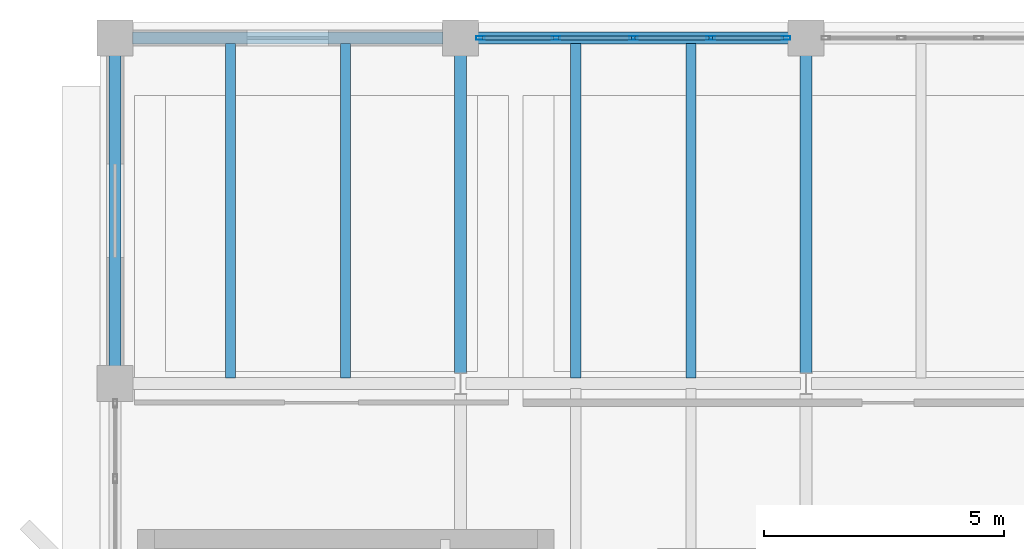
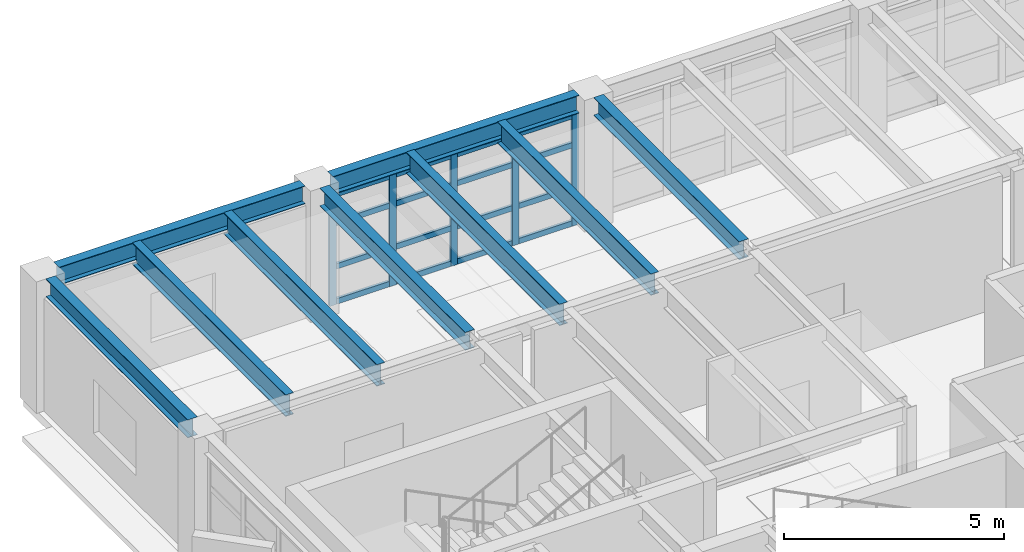
# One storey, part 9 of 24: 21 members, 9 beams, 1 element without a shape of its own.
"""IFC4 building model written with IfcOpenShell, lengths in metres."""

from ifc_helpers import new_model, si_unit, direction, frame, origin, origin_2d, place, context, subcontext, project, spatial, hollow_rectangle, i_section, extrude, material, layer, layer_set, material_profile, profile_set, type_object, element, aggregate, save


model = new_model("IFC4")

# Units and contexts
model_context = context("Model", 3, precision=1e-05, world=origin(), true_north=direction((0.0, 1.0)))
body_context = subcontext(model_context, "Body", "Model", "MODEL_VIEW")
ifc_project = project(units=[si_unit("LENGTHUNIT", "METRE"), si_unit("AREAUNIT", "SQUARE_METRE"), si_unit("VOLUMEUNIT", "CUBIC_METRE"), si_unit("PLANEANGLEUNIT", "RADIAN"), si_unit("MASSUNIT", "GRAM", prefix="KILO")], contexts=[model_context])

# Site, building, storey
site_placement = place(None, origin())
site = spatial("IfcSite", under=ifc_project, at=site_placement, CompositionType="ELEMENT")
building_placement = place(site_placement, origin())
building = spatial("IfcBuilding", under=site, at=building_placement, Name="Kandorven Conservatory and Botanical Research Centre", CompositionType="ELEMENT")
storey_placement = place(building_placement, frame((0.0, 0.0, 24.89990234375)))
storey = spatial("IfcBuildingStorey", under=building, at=storey_placement, Name="L06", CompositionType="ELEMENT", Elevation=24.89990234375)

# Beams
ifc_material_1 = material(Name="Steel S355 (IS 2062 E350)", Category="steel")
ifc_material_profile_1 = material_profile(ifc_material_1, i_section(OverallWidth=0.25, OverallDepth=0.5, WebThickness=0.010009765625, FlangeThickness=0.0146484375, at=origin_2d()))
ifc_profile_set_1 = profile_set([ifc_material_profile_1], Name="Steel S355 (IS 2062 E350)")
beam_type_1 = type_object("IfcBeamType", Name="Beam_FG-02", PredefinedType="USERDEFINED", material=ifc_profile_set_1)
for number, where, z_axis, x_axis, name in (
    (1, (6.364990234375, 34.800048828125, 3.400146484375), (1.0, 0.0, 0.0), (0.0, 1.0, 0.0), "Primary girder FG-02 TWR L06"),
    (2, (13.56494140625, 34.800048828125, 3.400146484375), (1.0, 0.0, 0.0), (0.0, 1.0, 0.0), "Primary girder FG-02 TWR L06"),
    (3, (6.0, 27.965087890625, 3.400146484375), (0.0, 1.0, 0.0), (-1.0, 0.0, 0.0), "Primary girder FG-02 TWR L06"),
):
    element("IfcBeam", number, at=place(storey_placement, frame(where, z_axis=z_axis, x_axis=x_axis)), inside=storey, type_object=beam_type_1, Name=name, ObjectType="GIRDER", PredefinedType="USERDEFINED", context=body_context, shape_type="SweptSolid", body=[
        extrude(i_section(OverallWidth=0.25, OverallDepth=0.5, WebThickness=0.010009765625, FlangeThickness=0.0146484375, at=origin_2d()), origin(), (0.0, 0.0, 1.0), 6.469970703125),
    ])
for number, where, z_axis, x_axis, name in (
    (4, (13.199951171875, 27.81494140625, 3.400146484375), (0.0, 1.0, 0.0), (-1.0, 0.0, 0.0), "Primary girder FG-02 TWR L06"),
    (5, (20.39990234375, 27.81494140625, 3.400146484375), (0.0, 1.0, 0.0), (-1.0, 0.0, 0.0), "Primary girder FG-02 TWR L06"),
):
    element("IfcBeam", number, at=place(storey_placement, frame(where, z_axis=z_axis, x_axis=x_axis)), inside=storey, type_object=beam_type_1, Name=name, ObjectType="GIRDER", PredefinedType="USERDEFINED", context=body_context, shape_type="SweptSolid", body=[
        extrude(i_section(OverallWidth=0.25, OverallDepth=0.5, WebThickness=0.010009765625, FlangeThickness=0.0146484375, at=origin_2d()), origin(), (0.0, 0.0, 1.0), 6.6201171875),
    ])
ifc_material_2 = material(Name="Steel S355 (IS 2062 E350)", Category="steel")
ifc_material_profile_2 = material_profile(ifc_material_2, i_section(OverallWidth=0.2099609375, OverallDepth=0.60009765625, WebThickness=0.011962890625, FlangeThickness=0.020751953125, at=origin_2d()))
ifc_profile_set_2 = profile_set([ifc_material_profile_2], Name="Steel S355 (IS 2062 E350)")
beam_type_2 = type_object("IfcBeamType", Name="Beam_SB-01", PredefinedType="BEAM", material=ifc_profile_set_2)
for number, where, z_axis, x_axis, name in (
    (6, (8.39990234375, 27.7099609375, 3.35009765625), (0.0, 1.0, 0.0), (-1.0, 0.0, 0.0), "Composite secondary beam SB-01 TWR L06"),
    (7, (10.800048828125, 27.7099609375, 3.35009765625), (0.0, 1.0, 0.0), (-1.0, 0.0, 0.0), "Composite secondary beam SB-01 TWR L06"),
    (8, (15.60009765625, 27.7099609375, 3.35009765625), (0.0, 1.0, 0.0), (-1.0, 0.0, 0.0), "Composite secondary beam SB-01 TWR L06"),
    (9, (18.0, 27.7099609375, 3.35009765625), (0.0, 1.0, 0.0), (-1.0, 0.0, 0.0), "Composite secondary beam SB-01 TWR L06"),
):
    element("IfcBeam", number, at=place(storey_placement, frame(where, z_axis=z_axis, x_axis=x_axis)), inside=storey, type_object=beam_type_2, Name=name, PredefinedType="BEAM", context=body_context, shape_type="SweptSolid", body=[
        extrude(i_section(OverallWidth=0.2099609375, OverallDepth=0.60009765625, WebThickness=0.011962890625, FlangeThickness=0.020751953125, at=origin_2d()), origin(), (0.0, 0.0, 1.0), 6.97998046875),
    ])

# Curtain wall, members
ifc_material_3 = material(Name="Bronze anodised thermally broken aluminium", Category="aluminium")
ifc_layer = layer(ifc_material_3, 0.179931640625)
ifc_layer_set = layer_set([ifc_layer], Name="Bronze anodised thermally broken aluminium")
curtain_wall_type = type_object("IfcCurtainWallType", Name="CW_Unitised", PredefinedType="USERDEFINED", material=ifc_layer_set)
curtain_wall_placement = place(storey_placement, origin())
curtain_wall = element("IfcCurtainWall", 10, at=curtain_wall_placement, inside=storey, type_object=curtain_wall_type, Name="Tower laboratory curtain wall CW-TWR-N-L06-2", ObjectType="UNITISED GLAZING", PredefinedType="USERDEFINED")
ifc_material_4 = material(Name="Bronze anodised thermally broken aluminium", Category="aluminium")
ifc_material_profile_3 = material_profile(ifc_material_4, hollow_rectangle(XDim=0.080078125, YDim=0.179931640625, WallThickness=0.006103515625, at=origin_2d()))
ifc_profile_set_3 = profile_set([ifc_material_profile_3], Name="Bronze anodised thermally broken aluminium")
member_type_1 = type_object("IfcMemberType", Name="CW_Mullion", PredefinedType="MULLION", material=ifc_profile_set_3)
member_1_placement = place(storey_placement, frame((13.614990234375, 34.800048828125, 0.0), z_axis=(0.0, 0.0, 1.0), x_axis=(0.0, 1.0, 0.0)))
member_1 = element("IfcMember", 11, at=member_1_placement, type_object=member_type_1, Name="CW-01 mullion 1", PredefinedType="MULLION", context=body_context, shape_type="SweptSolid", body=[
    extrude(hollow_rectangle(XDim=0.080078125, YDim=0.179931640625, WallThickness=0.006103515625, at=origin_2d()), origin(), (0.0, 0.0, 1.0), 3.130126953125),
])
member_2_placement = place(storey_placement, frame((15.1875, 34.800048828125, 0.0), z_axis=(0.0, 0.0, 1.0), x_axis=(0.0, 1.0, 0.0)))
member_2 = element("IfcMember", 12, at=member_2_placement, type_object=member_type_1, Name="CW-01 mullion 2", PredefinedType="MULLION", context=body_context, shape_type="SweptSolid", body=[
    extrude(hollow_rectangle(XDim=0.080078125, YDim=0.179931640625, WallThickness=0.006103515625, at=origin_2d()), origin(), (0.0, 0.0, 1.0), 3.130126953125),
])
member_3_placement = place(storey_placement, frame((16.800048828125, 34.800048828125, 0.0), z_axis=(0.0, 0.0, 1.0), x_axis=(0.0, 1.0, 0.0)))
member_3 = element("IfcMember", 13, at=member_3_placement, type_object=member_type_1, Name="CW-01 mullion 3", PredefinedType="MULLION", context=body_context, shape_type="SweptSolid", body=[
    extrude(hollow_rectangle(XDim=0.080078125, YDim=0.179931640625, WallThickness=0.006103515625, at=origin_2d()), origin(), (0.0, 0.0, 1.0), 3.130126953125),
])
member_4_placement = place(storey_placement, frame((18.41259765625, 34.800048828125, 0.0), z_axis=(0.0, 0.0, 1.0), x_axis=(0.0, 1.0, 0.0)))
member_4 = element("IfcMember", 14, at=member_4_placement, type_object=member_type_1, Name="CW-01 mullion 4", PredefinedType="MULLION", context=body_context, shape_type="SweptSolid", body=[
    extrude(hollow_rectangle(XDim=0.080078125, YDim=0.179931640625, WallThickness=0.006103515625, at=origin_2d()), origin(), (0.0, 0.0, 1.0), 3.130126953125),
])
member_5_placement = place(storey_placement, frame((19.985107421875, 34.800048828125, 0.0), z_axis=(0.0, 0.0, 1.0), x_axis=(0.0, 1.0, 0.0)))
member_5 = element("IfcMember", 15, at=member_5_placement, type_object=member_type_1, Name="CW-01 mullion 5", PredefinedType="MULLION", context=body_context, shape_type="SweptSolid", body=[
    extrude(hollow_rectangle(XDim=0.080078125, YDim=0.179931640625, WallThickness=0.006103515625, at=origin_2d()), origin(), (0.0, 0.0, 1.0), 3.130126953125),
])
ifc_material_5 = material(Name="Bronze anodised thermally broken aluminium", Category="aluminium")
ifc_material_profile_4 = material_profile(ifc_material_5, hollow_rectangle(XDim=0.074951171875, YDim=0.14990234375, WallThickness=0.006103515625, at=origin_2d()))
ifc_profile_set_4 = profile_set([ifc_material_profile_4], Name="Bronze anodised thermally broken aluminium")
member_type_2 = type_object("IfcMemberType", Name="CW_Transom", PredefinedType="USERDEFINED", material=ifc_profile_set_4)
member_6_placement = place(storey_placement, frame((13.655029296875, 34.800048828125, 0.0751953125), z_axis=(1.0, 0.0, 0.0), x_axis=(0.0, 1.0, 0.0)))
member_6 = element("IfcMember", 16, at=member_6_placement, type_object=member_type_2, Name="CW-01 transom 1.1", ObjectType="TRANSOM", PredefinedType="USERDEFINED", context=body_context, shape_type="SweptSolid", body=[
    extrude(hollow_rectangle(XDim=0.074951171875, YDim=0.14990234375, WallThickness=0.006103515625, at=origin_2d()), origin(), (0.0, 0.0, 1.0), 1.492431640625),
])
member_7_placement = place(storey_placement, frame((13.655029296875, 34.800048828125, 1.050048828125), z_axis=(1.0, 0.0, 0.0), x_axis=(0.0, 1.0, 0.0)))
member_7 = element("IfcMember", 17, at=member_7_placement, type_object=member_type_2, Name="CW-01 transom 1.2", ObjectType="TRANSOM", PredefinedType="USERDEFINED", context=body_context, shape_type="SweptSolid", body=[
    extrude(hollow_rectangle(XDim=0.074951171875, YDim=0.14990234375, WallThickness=0.006103515625, at=origin_2d()), origin(), (0.0, 0.0, 1.0), 1.492431640625),
])
member_8_placement = place(storey_placement, frame((13.655029296875, 34.800048828125, 2.25), z_axis=(1.0, 0.0, 0.0), x_axis=(0.0, 1.0, 0.0)))
member_8 = element("IfcMember", 18, at=member_8_placement, type_object=member_type_2, Name="CW-01 transom 1.3", ObjectType="TRANSOM", PredefinedType="USERDEFINED", context=body_context, shape_type="SweptSolid", body=[
    extrude(hollow_rectangle(XDim=0.074951171875, YDim=0.14990234375, WallThickness=0.006103515625, at=origin_2d()), origin(), (0.0, 0.0, 1.0), 1.492431640625),
])
member_9_placement = place(storey_placement, frame((13.655029296875, 34.800048828125, 3.05517578125), z_axis=(1.0, 0.0, 0.0), x_axis=(0.0, 1.0, 0.0)))
member_9 = element("IfcMember", 19, at=member_9_placement, type_object=member_type_2, Name="CW-01 transom 1.4", ObjectType="TRANSOM", PredefinedType="USERDEFINED", context=body_context, shape_type="SweptSolid", body=[
    extrude(hollow_rectangle(XDim=0.074951171875, YDim=0.14990234375, WallThickness=0.006103515625, at=origin_2d()), origin(), (0.0, 0.0, 1.0), 1.492431640625),
])
member_10_placement = place(storey_placement, frame((15.2275390625, 34.800048828125, 0.0751953125), z_axis=(1.0, 0.0, 0.0), x_axis=(0.0, 1.0, 0.0)))
member_10 = element("IfcMember", 20, at=member_10_placement, type_object=member_type_2, Name="CW-01 transom 2.1", ObjectType="TRANSOM", PredefinedType="USERDEFINED", context=body_context, shape_type="SweptSolid", body=[
    extrude(hollow_rectangle(XDim=0.074951171875, YDim=0.14990234375, WallThickness=0.006103515625, at=origin_2d()), origin(), (0.0, 0.0, 1.0), 1.532470703125),
])
member_11_placement = place(storey_placement, frame((15.2275390625, 34.800048828125, 1.050048828125), z_axis=(1.0, 0.0, 0.0), x_axis=(0.0, 1.0, 0.0)))
member_11 = element("IfcMember", 21, at=member_11_placement, type_object=member_type_2, Name="CW-01 transom 2.2", ObjectType="TRANSOM", PredefinedType="USERDEFINED", context=body_context, shape_type="SweptSolid", body=[
    extrude(hollow_rectangle(XDim=0.074951171875, YDim=0.14990234375, WallThickness=0.006103515625, at=origin_2d()), origin(), (0.0, 0.0, 1.0), 1.532470703125),
])
member_12_placement = place(storey_placement, frame((15.2275390625, 34.800048828125, 2.25), z_axis=(1.0, 0.0, 0.0), x_axis=(0.0, 1.0, 0.0)))
member_12 = element("IfcMember", 22, at=member_12_placement, type_object=member_type_2, Name="CW-01 transom 2.3", ObjectType="TRANSOM", PredefinedType="USERDEFINED", context=body_context, shape_type="SweptSolid", body=[
    extrude(hollow_rectangle(XDim=0.074951171875, YDim=0.14990234375, WallThickness=0.006103515625, at=origin_2d()), origin(), (0.0, 0.0, 1.0), 1.532470703125),
])
member_13_placement = place(storey_placement, frame((15.2275390625, 34.800048828125, 3.05517578125), z_axis=(1.0, 0.0, 0.0), x_axis=(0.0, 1.0, 0.0)))
member_13 = element("IfcMember", 23, at=member_13_placement, type_object=member_type_2, Name="CW-01 transom 2.4", ObjectType="TRANSOM", PredefinedType="USERDEFINED", context=body_context, shape_type="SweptSolid", body=[
    extrude(hollow_rectangle(XDim=0.074951171875, YDim=0.14990234375, WallThickness=0.006103515625, at=origin_2d()), origin(), (0.0, 0.0, 1.0), 1.532470703125),
])
member_14_placement = place(storey_placement, frame((16.840087890625, 34.800048828125, 0.0751953125), z_axis=(1.0, 0.0, 0.0), x_axis=(0.0, 1.0, 0.0)))
member_14 = element("IfcMember", 24, at=member_14_placement, type_object=member_type_2, Name="CW-01 transom 3.1", ObjectType="TRANSOM", PredefinedType="USERDEFINED", context=body_context, shape_type="SweptSolid", body=[
    extrude(hollow_rectangle(XDim=0.074951171875, YDim=0.14990234375, WallThickness=0.006103515625, at=origin_2d()), origin(), (0.0, 0.0, 1.0), 1.532470703125),
])
member_15_placement = place(storey_placement, frame((16.840087890625, 34.800048828125, 1.050048828125), z_axis=(1.0, 0.0, 0.0), x_axis=(0.0, 1.0, 0.0)))
member_15 = element("IfcMember", 25, at=member_15_placement, type_object=member_type_2, Name="CW-01 transom 3.2", ObjectType="TRANSOM", PredefinedType="USERDEFINED", context=body_context, shape_type="SweptSolid", body=[
    extrude(hollow_rectangle(XDim=0.074951171875, YDim=0.14990234375, WallThickness=0.006103515625, at=origin_2d()), origin(), (0.0, 0.0, 1.0), 1.532470703125),
])
member_16_placement = place(storey_placement, frame((16.840087890625, 34.800048828125, 2.25), z_axis=(1.0, 0.0, 0.0), x_axis=(0.0, 1.0, 0.0)))
member_16 = element("IfcMember", 26, at=member_16_placement, type_object=member_type_2, Name="CW-01 transom 3.3", ObjectType="TRANSOM", PredefinedType="USERDEFINED", context=body_context, shape_type="SweptSolid", body=[
    extrude(hollow_rectangle(XDim=0.074951171875, YDim=0.14990234375, WallThickness=0.006103515625, at=origin_2d()), origin(), (0.0, 0.0, 1.0), 1.532470703125),
])
member_17_placement = place(storey_placement, frame((16.840087890625, 34.800048828125, 3.05517578125), z_axis=(1.0, 0.0, 0.0), x_axis=(0.0, 1.0, 0.0)))
member_17 = element("IfcMember", 27, at=member_17_placement, type_object=member_type_2, Name="CW-01 transom 3.4", ObjectType="TRANSOM", PredefinedType="USERDEFINED", context=body_context, shape_type="SweptSolid", body=[
    extrude(hollow_rectangle(XDim=0.074951171875, YDim=0.14990234375, WallThickness=0.006103515625, at=origin_2d()), origin(), (0.0, 0.0, 1.0), 1.532470703125),
])
member_18_placement = place(storey_placement, frame((18.452392578125, 34.800048828125, 0.0751953125), z_axis=(1.0, 0.0, 0.0), x_axis=(0.0, 1.0, 0.0)))
member_18 = element("IfcMember", 28, at=member_18_placement, type_object=member_type_2, Name="CW-01 transom 4.1", ObjectType="TRANSOM", PredefinedType="USERDEFINED", context=body_context, shape_type="SweptSolid", body=[
    extrude(hollow_rectangle(XDim=0.074951171875, YDim=0.14990234375, WallThickness=0.006103515625, at=origin_2d()), origin(), (0.0, 0.0, 1.0), 1.49267578125),
])
member_19_placement = place(storey_placement, frame((18.452392578125, 34.800048828125, 1.050048828125), z_axis=(1.0, 0.0, 0.0), x_axis=(0.0, 1.0, 0.0)))
member_19 = element("IfcMember", 29, at=member_19_placement, type_object=member_type_2, Name="CW-01 transom 4.2", ObjectType="TRANSOM", PredefinedType="USERDEFINED", context=body_context, shape_type="SweptSolid", body=[
    extrude(hollow_rectangle(XDim=0.074951171875, YDim=0.14990234375, WallThickness=0.006103515625, at=origin_2d()), origin(), (0.0, 0.0, 1.0), 1.49267578125),
])
member_20_placement = place(storey_placement, frame((18.452392578125, 34.800048828125, 2.25), z_axis=(1.0, 0.0, 0.0), x_axis=(0.0, 1.0, 0.0)))
member_20 = element("IfcMember", 30, at=member_20_placement, type_object=member_type_2, Name="CW-01 transom 4.3", ObjectType="TRANSOM", PredefinedType="USERDEFINED", context=body_context, shape_type="SweptSolid", body=[
    extrude(hollow_rectangle(XDim=0.074951171875, YDim=0.14990234375, WallThickness=0.006103515625, at=origin_2d()), origin(), (0.0, 0.0, 1.0), 1.49267578125),
])
member_21_placement = place(storey_placement, frame((18.452392578125, 34.800048828125, 3.05517578125), z_axis=(1.0, 0.0, 0.0), x_axis=(0.0, 1.0, 0.0)))
member_21 = element("IfcMember", 31, at=member_21_placement, type_object=member_type_2, Name="CW-01 transom 4.4", ObjectType="TRANSOM", PredefinedType="USERDEFINED", context=body_context, shape_type="SweptSolid", body=[
    extrude(hollow_rectangle(XDim=0.074951171875, YDim=0.14990234375, WallThickness=0.006103515625, at=origin_2d()), origin(), (0.0, 0.0, 1.0), 1.49267578125),
])
aggregate(curtain_wall, [member_1, member_2, member_3, member_4, member_5, member_6, member_7, member_8, member_9, member_10, member_11, member_12, member_13, member_14, member_15, member_16, member_17, member_18, member_19, member_20, member_21])

save(model, "model.ifc")
